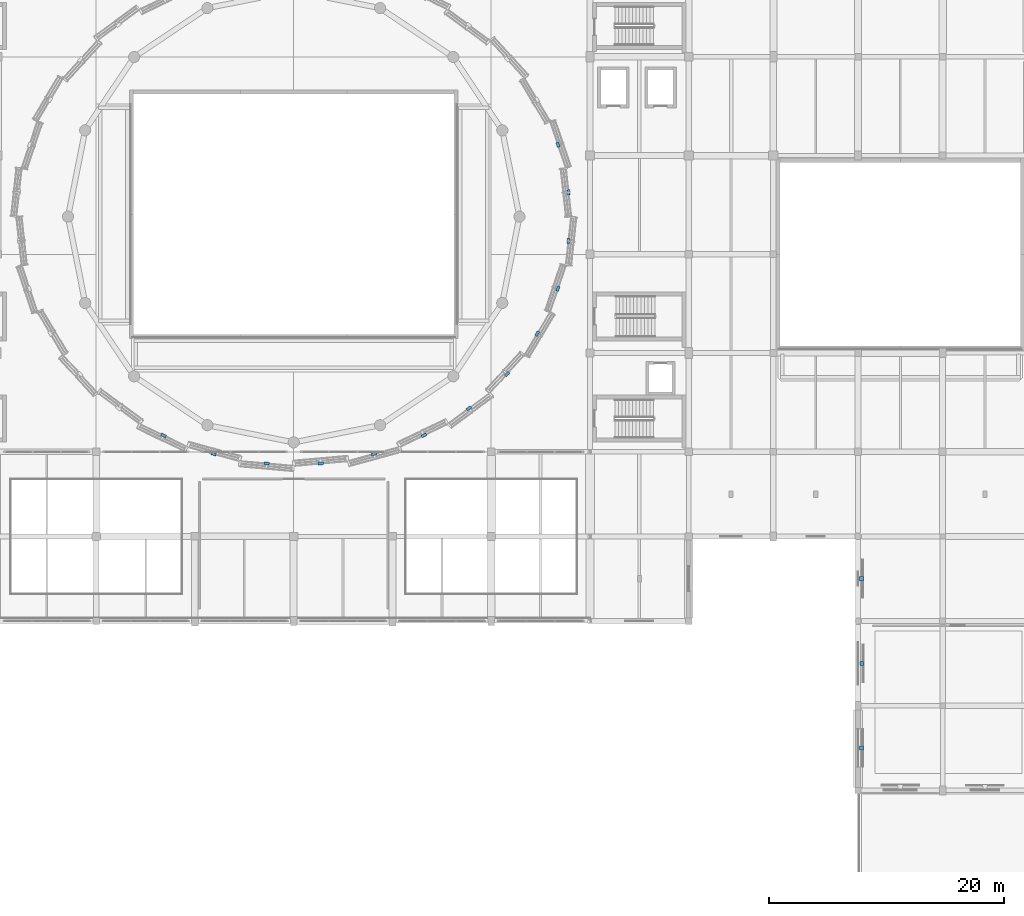
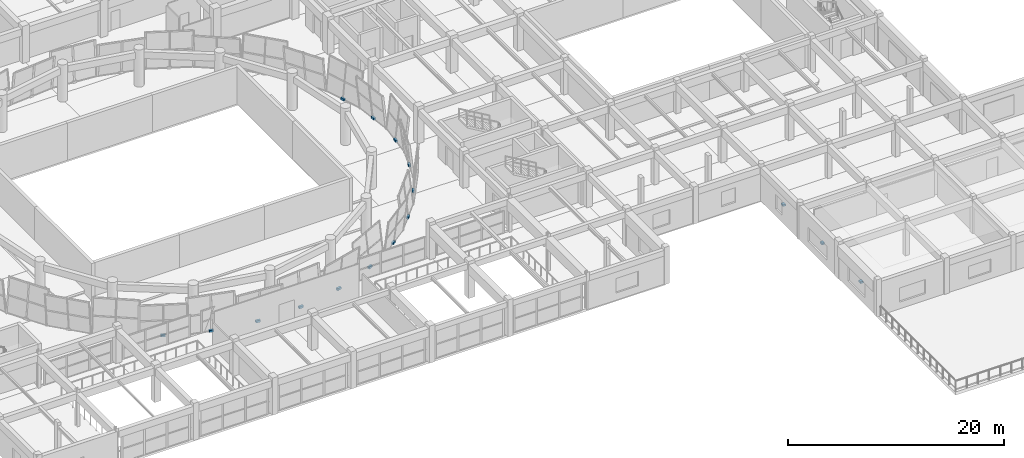
# One storey, part 57 of 71: 16 discrete accessories.
"""IFC4 building model written with IfcOpenShell, lengths in metres."""

from ifc_helpers import new_model, si_unit, direction, frame, origin, origin_2d, place, context, subcontext, project, spatial, rectangle, extrude, material, type_object, element, save


model = new_model("IFC4")

# Units and contexts
model_context = context("Model", 3, precision=1e-05, world=origin(), true_north=direction((0.0, 1.0)))
body_context = subcontext(model_context, "Body", "Model", "MODEL_VIEW")
ifc_project = project(units=[si_unit("LENGTHUNIT", "METRE"), si_unit("AREAUNIT", "SQUARE_METRE"), si_unit("VOLUMEUNIT", "CUBIC_METRE"), si_unit("PLANEANGLEUNIT", "RADIAN"), si_unit("MASSUNIT", "GRAM", prefix="KILO")], contexts=[model_context])

# Site, building, storey
site_placement = place(None, origin())
site = spatial("IfcSite", under=ifc_project, at=site_placement, CompositionType="ELEMENT")
building_placement = place(site_placement, origin())
building = spatial("IfcBuilding", under=site, at=building_placement, Name="Korsvaeld Concert Hall", CompositionType="ELEMENT")
storey_placement = place(building_placement, frame((0.0, 0.0, 4.800048828125)))
storey = spatial("IfcBuildingStorey", under=building, at=storey_placement, Name="L01", CompositionType="ELEMENT", Elevation=4.800048828125)

# Discrete accessories
ifc_material_1 = material(Name="Steel S355J2", Category="steel")
discrete_accessory_type_1 = type_object("IfcDiscreteAccessoryType", Name="ACC-BRACKET-CW", PredefinedType="BRACKET", material=ifc_material_1)
for number, where, z_axis, x_axis, name in (
    (1, (107.373291015625, 65.267822265625, -0.0400390625), (0.0, 0.0, 1.0), (-0.109040368753, 0.994037322228, 0.0), "Crystal shell base anchor bracket L01 F01"),
    (2, (106.47509765625, 69.324462890625, -0.0400390625), (0.0, 0.0, 1.0), (-0.319951634986, 0.947433876991, 0.0), "Crystal shell base anchor bracket L01 F02"),
    (3, (72.9287109375, 44.59326171875, -0.0400390625), (0.0, 0.0, 1.0), (0.901455117112, -0.43287258152, 0.0), "Crystal shell base anchor bracket L01 F22"),
    (4, (77.182373046875, 43.010498046875, -0.0400390625), (0.0, 0.0, 1.0), (0.964833216741, -0.262862823299, 0.0), "Crystal shell base anchor bracket L01 F23"),
    (5, (81.697998046875, 42.20361328125, -0.0400390625), (0.0, 0.0, 1.0), (0.996102882603, -0.088198907417, 0.0), "Crystal shell base anchor bracket L01 F24"),
    (6, (86.302001953125, 42.20361328125, -0.0400390625), (0.0, 0.0, 1.0), (0.996102882603, 0.088198907417, 0.0), "Crystal shell base anchor bracket L01 F25"),
    (7, (90.817626953125, 43.010498046875, -0.0400390625), (0.0, 0.0, 1.0), (0.964833216741, 0.262862823299, 0.0), "Crystal shell base anchor bracket L01 F26"),
    (8, (95.0712890625, 44.59326171875, -0.0400390625), (0.0, 0.0, 1.0), (0.901455117112, 0.43287258152, 0.0), "Crystal shell base anchor bracket L01 F27"),
    (9, (98.899658203125, 46.89111328125, -0.0400390625), (0.0, 0.0, 1.0), (0.804893797356, 0.593418886604, 0.0), "Crystal shell base anchor bracket L01 F28"),
    (10, (102.1552734375, 49.815673828125, -0.0400390625), (0.0, 0.0, 1.0), (0.674431262084, 0.738337641411, 0.0), "Crystal shell base anchor bracket L01 F29"),
    (11, (104.713134765625, 53.25439453125, -0.0400390625), (0.0, 0.0, 1.0), (0.511293086077, 0.859406411501, 0.0), "Crystal shell base anchor bracket L01 F30"),
    (12, (106.47509765625, 57.07568359375, -0.0400390625), (0.0, 0.0, 1.0), (0.319951634986, 0.947433876991, 0.0), "Crystal shell base anchor bracket L01 F31"),
    (13, (107.373291015625, 61.132080078125, -0.0400390625), (0.0, 0.0, 1.0), (0.109040368753, 0.994037322228, 0.0), "Crystal shell base anchor bracket L01 F32"),
):
    element("IfcDiscreteAccessory", number, at=place(storey_placement, frame(where, z_axis=z_axis, x_axis=x_axis)), inside=storey, type_object=discrete_accessory_type_1, Name=name, PredefinedType="BRACKET", context=body_context, shape_type="SweptSolid", body=[
        extrude(rectangle(XDim=0.449951171875, YDim=0.239990234375, at=origin_2d()), origin(), (0.0, 0.0, 1.0), 0.239990234375),
    ])
ifc_material_2 = material(Name="Anodised architectural bronze bracket")
discrete_accessory_type_2 = type_object("IfcDiscreteAccessoryType", Name="ACC-BRACKET-JALI", PredefinedType="BRACKET", material=ifc_material_2)
for number, where, z_axis, x_axis, name in (
    (14, (132.294921875, 18.0, 1.39013671875), (0.0, 0.0, 1.0), (0.0, 1.0, 0.0), "Jali screen outrigger bracket L01-53"),
    (15, (132.31005859375, 25.199951171875, 1.39013671875), (0.0, 0.0, 1.0), (0.0, 1.0, 0.0), "Jali screen outrigger bracket L01-54"),
    (16, (132.294921875, 32.39990234375, 1.39013671875), (0.0, 0.0, 1.0), (0.0, 1.0, 0.0), "Jali screen outrigger bracket L01-55"),
):
    element("IfcDiscreteAccessory", number, at=place(storey_placement, frame(where, z_axis=z_axis, x_axis=x_axis)), inside=storey, type_object=discrete_accessory_type_2, Name=name, PredefinedType="BRACKET", context=body_context, shape_type="SweptSolid", body=[
        extrude(rectangle(XDim=0.360107421875, YDim=0.300048828125, at=origin_2d()), origin(), (0.0, 0.0, 1.0), 0.219970703125),
    ])

save(model, "model.ifc")
